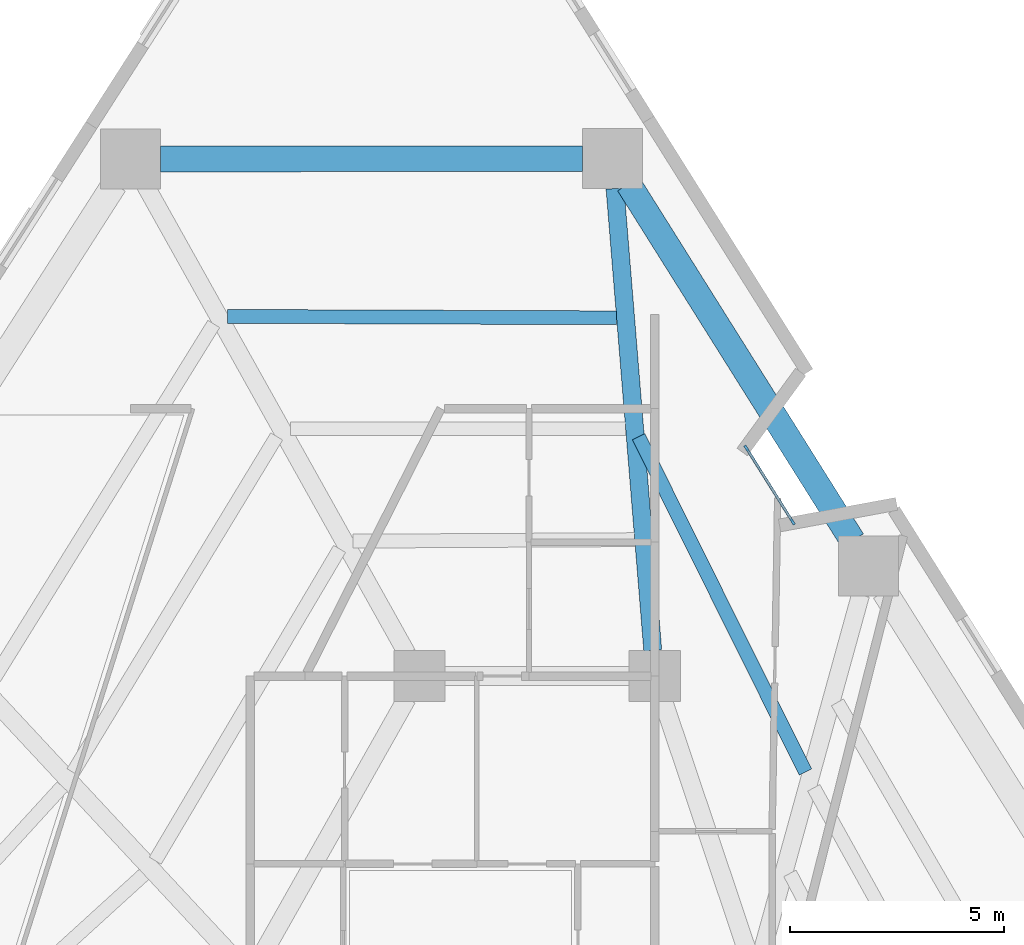
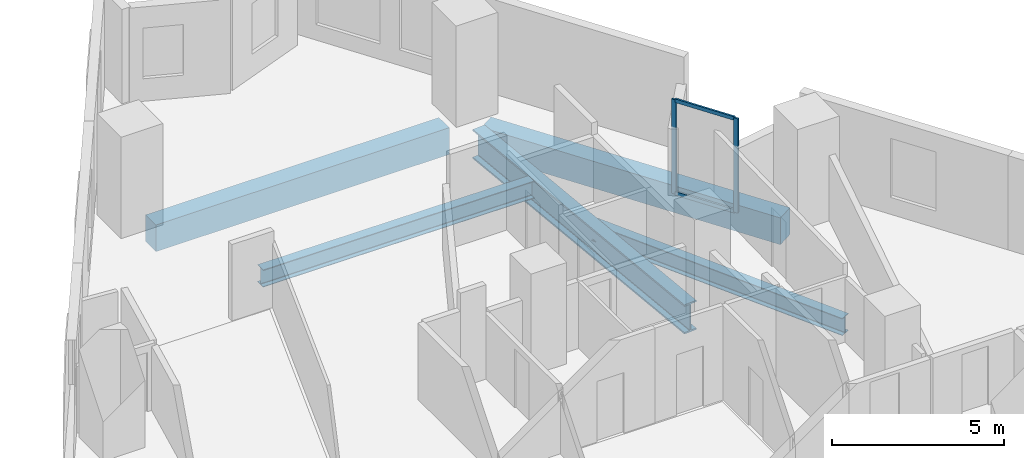
# One storey, part 5 of 14: 5 beams, 4 members, 1 element without a shape of its own.
"""IFC4 building model written with IfcOpenShell, lengths in metres."""

from ifc_helpers import new_model, si_unit, direction, frame, origin, origin_2d, place, context, subcontext, project, spatial, rectangle, i_section, extrude, material, layer, layer_set, material_profile, profile_set, type_object, element, aggregate, save


model = new_model("IFC4")

# Units and contexts
model_context = context("Model", 3, precision=1e-05, world=origin(), true_north=direction((0.0, 1.0)))
body_context = subcontext(model_context, "Body", "Model", "MODEL_VIEW")
ifc_project = project(units=[si_unit("LENGTHUNIT", "METRE"), si_unit("AREAUNIT", "SQUARE_METRE"), si_unit("VOLUMEUNIT", "CUBIC_METRE"), si_unit("PLANEANGLEUNIT", "RADIAN"), si_unit("MASSUNIT", "GRAM", prefix="KILO")], contexts=[model_context])

# Site, building, storey
site_placement = place(None, origin())
site = spatial("IfcSite", under=ifc_project, at=site_placement, CompositionType="ELEMENT")
building_placement = place(site_placement, origin())
building = spatial("IfcBuilding", under=site, at=building_placement, Name="Almagre Mirador Tower", CompositionType="ELEMENT")
storey_placement = place(building_placement, frame((0.0, 0.0, 60.60009765625)))
storey = spatial("IfcBuildingStorey", under=building, at=storey_placement, Name="L14", CompositionType="ELEMENT", Elevation=60.60009765625)

# Beams
ifc_material_1 = material(Name="Steel ASTM A992 Grade 50", Category="steel")
ifc_material_profile_1 = material_profile(ifc_material_1, i_section(OverallWidth=0.323974609375, OverallDepth=0.611083984375, WebThickness=0.0126953125, FlangeThickness=0.01904296875, FilletRadius=0.02001953125, at=origin_2d()), Name="W24X104")
ifc_profile_set_1 = profile_set([ifc_material_profile_1], Name="Steel ASTM A992 Grade 50")
beam_type_1 = type_object("IfcBeamType", Name="BM-JST-W24X104", PredefinedType="JOIST", material=ifc_profile_set_1)
beam_1_placement = place(storey_placement, frame((46.368408203125, 23.9580078125, -0.5556640625), z_axis=(-0.445438105918, 0.895312735191, 0.0), x_axis=(-0.895312735191, -0.445438105918, 0.0)))
element("IfcBeam", 1, at=beam_1_placement, inside=storey, type_object=beam_type_1, Name="L14 secondary floor joist PC07-PC08.2", PredefinedType="JOIST", context=body_context, shape_type="SweptSolid", body=[
    extrude(i_section(OverallWidth=0.323974609375, OverallDepth=0.611083984375, WebThickness=0.0126953125, FlangeThickness=0.01904296875, FilletRadius=0.02001953125, at=origin_2d()), origin(), (0.0, 0.0, 1.0), 8.749755859375),
])
beam_2_placement = place(storey_placement, frame((41.95654296875, 34.57080078125, -0.5556640625), z_axis=(-0.999993235317, 0.003678222446, 0.0), x_axis=(-0.003678222446, -0.999993235317, 0.0)))
element("IfcBeam", 2, at=beam_2_placement, inside=storey, type_object=beam_type_1, Name="L14 secondary floor joist PC08-PC09.1", PredefinedType="JOIST", context=body_context, shape_type="SweptSolid", body=[
    extrude(i_section(OverallWidth=0.323974609375, OverallDepth=0.611083984375, WebThickness=0.0126953125, FlangeThickness=0.01904296875, FilletRadius=0.02001953125, at=origin_2d()), origin(), (0.0, 0.0, 1.0), 9.09326171875),
])
ifc_material_2 = material(Name="Precast concrete C50/60", Category="concrete")
ifc_material_profile_2 = material_profile(ifc_material_2, rectangle(XDim=0.60009765625, YDim=0.949951171875, at=origin_2d()), Name="RC600X950")
ifc_profile_set_2 = profile_set([ifc_material_profile_2], Name="Precast concrete C50/60")
beam_type_2 = type_object("IfcBeamType", Name="BM-SPN-RC600X950", PredefinedType="SPANDREL", material=ifc_profile_set_2)
beam_3_placement = place(storey_placement, frame((47.4697265625, 29.36279296875, -0.72509765625), z_axis=(-0.531919552243, 0.846794892487, 0.0), x_axis=(-0.846794892487, -0.531919552243, 0.0)))
element("IfcBeam", 3, at=beam_3_placement, inside=storey, type_object=beam_type_2, Name="L14 perimeter spandrel beam PC07-PC08", PredefinedType="SPANDREL", context=body_context, shape_type="SweptSolid", body=[
    extrude(rectangle(XDim=0.60009765625, YDim=0.949951171875, at=origin_2d()), origin(), (0.0, 0.0, 1.0), 9.84228515625),
])
beam_4_placement = place(storey_placement, frame((41.162109375, 38.289306640625, -0.72509765625), z_axis=(-0.999999686228, -0.000792177001, 0.0), x_axis=(0.000792177001, -0.999999686228, 0.0)))
element("IfcBeam", 4, at=beam_4_placement, inside=storey, type_object=beam_type_2, Name="L14 perimeter spandrel beam PC08-PC09", PredefinedType="SPANDREL", context=body_context, shape_type="SweptSolid", body=[
    extrude(rectangle(XDim=0.60009765625, YDim=0.949951171875, at=origin_2d()), origin(), (0.0, 0.0, 1.0), 9.862060546875),
])
ifc_material_3 = material(Name="Steel ASTM A913 Grade 65", Category="steel")
ifc_material_profile_3 = material_profile(ifc_material_3, i_section(OverallWidth=0.4189453125, OverallDepth=1.041015625, WebThickness=0.031005859375, FlangeThickness=0.055908203125, FilletRadius=0.030029296875, at=origin_2d()), Name="W40X397")
ifc_profile_set_3 = profile_set([ifc_material_profile_3], Name="Steel ASTM A913 Grade 65")
beam_type_3 = type_object("IfcBeamType", Name="BM-STL-W40X397", PredefinedType="BEAM", material=ifc_profile_set_3)
beam_5_placement = place(storey_placement, frame((41.9189453125, 37.59228515625, -0.7705078125), z_axis=(0.081446555718, -0.996677710477, 0.0), x_axis=(0.996677710477, 0.081446555718, 0.0)))
element("IfcBeam", 5, at=beam_5_placement, inside=storey, type_object=beam_type_3, Name="L14 radial floor girder PC08-MC6", PredefinedType="BEAM", context=body_context, shape_type="SweptSolid", body=[
    extrude(i_section(OverallWidth=0.4189453125, OverallDepth=1.041015625, WebThickness=0.031005859375, FlangeThickness=0.055908203125, FilletRadius=0.030029296875, at=origin_2d()), origin(), (0.0, 0.0, 1.0), 10.830078125),
])

# Curtain wall, members
ifc_material_4 = material(Name="Black anodized aluminium", Category="aluminium")
ifc_layer = layer(ifc_material_4, 0.169921875)
ifc_layer_set = layer_set([ifc_layer], Name="Black anodized aluminium")
curtain_wall_type = type_object("IfcCurtainWallType", Name="CW-CRS-SYS", PredefinedType="NOTDEFINED", material=ifc_layer_set)
curtain_wall_placement = place(storey_placement, origin())
curtain_wall = element("IfcCurtainWall", 6, at=curtain_wall_placement, inside=storey, type_object=curtain_wall_type, Name="L14 vertical crease curtain wall 03", PredefinedType="NOTDEFINED")
ifc_material_5 = material(Name="Black anodized aluminium", Category="aluminium")
ifc_material_profile_4 = material_profile(ifc_material_5, rectangle(XDim=0.06005859375, YDim=0.14990234375, at=origin_2d()), Name="CWM60X150")
ifc_profile_set_4 = profile_set([ifc_material_profile_4], Name="Black anodized aluminium")
member_type_1 = type_object("IfcMemberType", Name="MBR-CWM60X150", PredefinedType="MULLION", material=ifc_profile_set_4)
member_1_placement = place(storey_placement, frame((44.990966796875, 31.522705078125, 0.0), z_axis=(0.0, 0.0, 1.0), x_axis=(0.846975175549, 0.531632440698, 0.0)))
member_1 = element("IfcMember", 7, at=member_1_placement, type_object=member_type_1, Name="CW-4 mullion 1", PredefinedType="MULLION", context=body_context, shape_type="SweptSolid", body=[
    extrude(rectangle(XDim=0.06005859375, YDim=0.14990234375, at=origin_2d()), origin(), (0.0, 0.0, 1.0), 3.349853515625),
])
member_2_placement = place(storey_placement, frame((46.070068359375, 29.803466796875, 0.0), z_axis=(0.0, 0.0, 1.0), x_axis=(0.846975175549, 0.531632440698, 0.0)))
member_2 = element("IfcMember", 8, at=member_2_placement, type_object=member_type_1, Name="CW-4 mullion 2", PredefinedType="MULLION", context=body_context, shape_type="SweptSolid", body=[
    extrude(rectangle(XDim=0.06005859375, YDim=0.14990234375, at=origin_2d()), origin(), (0.0, 0.0, 1.0), 3.349853515625),
])
ifc_material_6 = material(Name="Black anodized aluminium", Category="aluminium")
ifc_material_profile_5 = material_profile(ifc_material_6, rectangle(XDim=0.06005859375, YDim=0.1298828125, at=origin_2d()), Name="CWT60X130")
ifc_profile_set_5 = profile_set([ifc_material_profile_5], Name="Black anodized aluminium")
member_type_2 = type_object("IfcMemberType", Name="MBR-CWT60X130", PredefinedType="USERDEFINED", material=ifc_profile_set_5)
member_3_placement = place(storey_placement, frame((45.0068359375, 31.4970703125, 0.02978515625), z_axis=(0.531724717378, -0.846917247982, 0.0), x_axis=(0.846917247982, 0.531724717378, 0.0)))
member_3 = element("IfcMember", 9, at=member_3_placement, type_object=member_type_2, Name="CW-4 transom 1.1", ObjectType="TRANSOM", PredefinedType="USERDEFINED", context=body_context, shape_type="SweptSolid", body=[
    extrude(rectangle(XDim=0.06005859375, YDim=0.1298828125, at=origin_2d()), origin(), (0.0, 0.0, 1.0), 1.9697265625),
])
member_4_placement = place(storey_placement, frame((45.0068359375, 31.4970703125, 3.31982421875), z_axis=(0.531724717378, -0.846917247982, 0.0), x_axis=(0.846917247982, 0.531724717378, 0.0)))
member_4 = element("IfcMember", 10, at=member_4_placement, type_object=member_type_2, Name="CW-4 transom 1.2", ObjectType="TRANSOM", PredefinedType="USERDEFINED", context=body_context, shape_type="SweptSolid", body=[
    extrude(rectangle(XDim=0.06005859375, YDim=0.1298828125, at=origin_2d()), origin(), (0.0, 0.0, 1.0), 1.9697265625),
])
aggregate(curtain_wall, [member_1, member_2, member_3, member_4])

save(model, "model.ifc")
